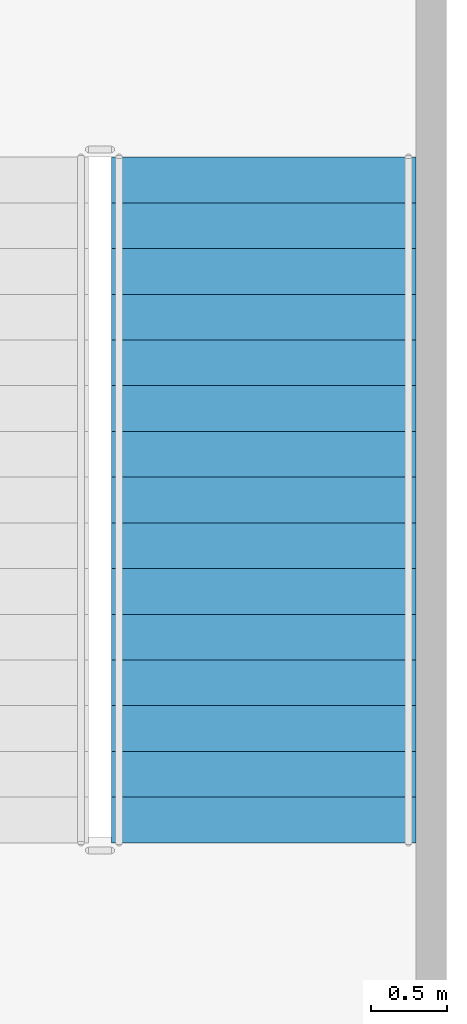
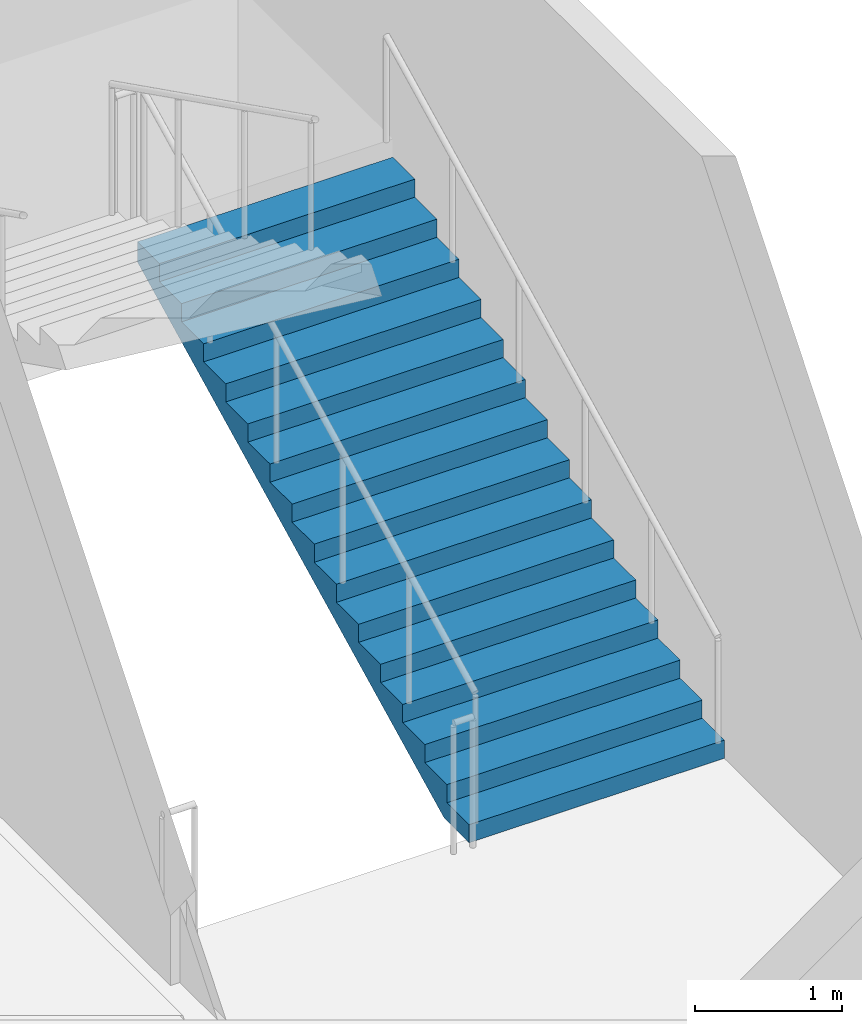
# One storey, part 63 of 91: 1 stair flight, 1 element without a shape of its own.
"""IFC4 building model written with IfcOpenShell, lengths in metres."""

from ifc_helpers import new_model, si_unit, direction, frame, origin, place, context, subcontext, project, spatial, faceted_brep, material, type_object, element, aggregate, save


model = new_model("IFC4")

# Units and contexts
model_context = context("Model", 3, precision=1e-05, world=origin(), true_north=direction((0.0, 1.0)))
body_context = subcontext(model_context, "Body", "Model", "MODEL_VIEW")
ifc_project = project(units=[si_unit("LENGTHUNIT", "METRE"), si_unit("AREAUNIT", "SQUARE_METRE"), si_unit("VOLUMEUNIT", "CUBIC_METRE"), si_unit("PLANEANGLEUNIT", "RADIAN"), si_unit("MASSUNIT", "GRAM", prefix="KILO")], contexts=[model_context])

# Site, building, storey
site_placement = place(None, origin())
site = spatial("IfcSite", under=ifc_project, at=site_placement, CompositionType="ELEMENT")
building_placement = place(site_placement, origin())
building = spatial("IfcBuilding", under=site, at=building_placement, Name="Kiln Court Media Centre", CompositionType="ELEMENT")
storey_placement = place(building_placement, frame((0.0, 0.0, 5.39990234375)))
storey = spatial("IfcBuildingStorey", under=building, at=storey_placement, Name="L01", CompositionType="ELEMENT", Elevation=5.39990234375)

# Stair, stair flight
ifc_material_1 = material(Name="Concrete C40/50", Category="concrete")
stair_type = type_object("IfcStairType", Name="Concrete C40/50 dog-leg stair 2000 wide, 150 riser", PredefinedType="HALF_TURN_STAIR", material=ifc_material_1)
stair_placement = place(storey_placement, origin())
stair = element("IfcStair", 1, at=stair_placement, inside=storey, type_object=stair_type, Name="ST-14 L01", PredefinedType="HALF_TURN_STAIR")
ifc_material_2 = material(Name="Concrete C40/50", Category="concrete")
stair_flight_type = type_object("IfcStairFlightType", Name="Concrete C40/50 stair flight 2000 wide, 150 riser, 300 going", PredefinedType="STRAIGHT", material=ifc_material_2)
stair_flight_placement = place(storey_placement, frame((166.800048828125, 36.39990234375, 0.0), z_axis=(0.0, 0.0, 1.0), x_axis=(0.0, 1.0, 0.0)))
stair_flight = element("IfcStairFlight", 2, at=stair_flight_placement, type_object=stair_flight_type, Name="L01-ST-5013 flight 5026", NumberOfRisers=16, NumberOfTreads=15, PredefinedType="STRAIGHT", RiserHeight=0.15, TreadLength=0.3, context=body_context, shape_type="Brep", body=[
    faceted_brep([(0.335205078125, -1.0, 0.0), (4.5, -1.0, 2.08251953125), (4.5, -1.0, 2.25), (4.199951171875, -1.0, 2.25), (4.199951171875, -1.0, 2.10009765625), (3.89990234375, -1.0, 2.10009765625), (3.89990234375, -1.0, 1.949951171875), (3.60009765625, -1.0, 1.949951171875), (3.60009765625, -1.0, 1.800048828125), (3.300048828125, -1.0, 1.800048828125), (3.300048828125, -1.0, 1.64990234375), (3.0, -1.0, 1.64990234375), (3.0, -1.0, 1.5), (2.699951171875, -1.0, 1.5), (2.699951171875, -1.0, 1.35009765625), (2.39990234375, -1.0, 1.35009765625), (2.39990234375, -1.0, 1.199951171875), (2.10009765625, -1.0, 1.199951171875), (2.10009765625, -1.0, 1.050048828125), (1.800048828125, -1.0, 1.050048828125), (1.800048828125, -1.0, 0.89990234375), (1.5, -1.0, 0.89990234375), (1.5, -1.0, 0.75), (1.199951171875, -1.0, 0.75), (1.199951171875, -1.0, 0.60009765625), (0.89990234375, -1.0, 0.60009765625), (0.89990234375, -1.0, 0.449951171875), (0.60009765625, -1.0, 0.449951171875), (0.60009765625, -1.0, 0.300048828125), (0.300048828125, -1.0, 0.300048828125), (0.300048828125, -1.0, 0.14990234375), (0.0, -1.0, 0.14990234375), (0.0, -1.0, 0.0), (0.0, 1.0, 0.0), (0.0, 1.0, 0.14990234375), (0.300048828125, 1.0, 0.14990234375), (0.300048828125, 1.0, 0.300048828125), (0.60009765625, 1.0, 0.300048828125), (0.60009765625, 1.0, 0.449951171875), (0.89990234375, 1.0, 0.449951171875), (0.89990234375, 1.0, 0.60009765625), (1.199951171875, 1.0, 0.60009765625), (1.199951171875, 1.0, 0.75), (1.5, 1.0, 0.75), (1.5, 1.0, 0.89990234375), (1.800048828125, 1.0, 0.89990234375), (1.800048828125, 1.0, 1.050048828125), (2.10009765625, 1.0, 1.050048828125), (2.10009765625, 1.0, 1.199951171875), (2.39990234375, 1.0, 1.199951171875), (2.39990234375, 1.0, 1.35009765625), (2.699951171875, 1.0, 1.35009765625), (2.699951171875, 1.0, 1.5), (3.0, 1.0, 1.5), (3.0, 1.0, 1.64990234375), (3.300048828125, 1.0, 1.64990234375), (3.300048828125, 1.0, 1.800048828125), (3.60009765625, 1.0, 1.800048828125), (3.60009765625, 1.0, 1.949951171875), (3.89990234375, 1.0, 1.949951171875), (3.89990234375, 1.0, 2.10009765625), (4.199951171875, 1.0, 2.10009765625), (4.199951171875, 1.0, 2.25), (4.5, 1.0, 2.25), (4.5, 1.0, 2.08251953125), (0.335205078125, 1.0, 0.0), (4.5, 0.10009765625, 2.08251953125), (0.335205078125, 0.10009765625, 0.0), (4.5, 0.080078125, 2.08251953125), (0.335205078125, 0.080078125, 0.0), (4.5, 0.06005859375, 2.08251953125), (0.335205078125, 0.06005859375, 0.0), (4.5, 0.0400390625, 2.08251953125), (0.335205078125, 0.0400390625, 0.0), (4.5, 0.02001953125, 2.08251953125), (0.335205078125, 0.02001953125, 0.0), (4.5, 0.0, 2.08251953125), (0.335205078125, 0.0, 0.0), (4.5, -0.02001953125, 2.08251953125), (0.335205078125, -0.02001953125, 0.0), (4.5, -0.0400390625, 2.08251953125), (0.335205078125, -0.0400390625, 0.0), (4.5, -0.06005859375, 2.08251953125), (0.335205078125, -0.06005859375, 0.0), (4.5, -0.080078125, 2.08251953125), (0.335205078125, -0.080078125, 0.0), (4.5, -0.10009765625, 2.08251953125), (0.335205078125, -0.10009765625, 0.0), (4.5, 0.10009765625, 2.25), (4.5, 0.080078125, 2.25), (4.5, 0.06005859375, 2.25), (4.5, 0.0400390625, 2.25), (4.5, 0.02001953125, 2.25), (4.5, 0.0, 2.25), (4.5, -0.02001953125, 2.25), (4.5, -0.0400390625, 2.25), (4.5, -0.06005859375, 2.25), (4.5, -0.080078125, 2.25), (4.5, -0.10009765625, 2.25), (4.199951171875, 0.10009765625, 2.25), (4.199951171875, 0.080078125, 2.25), (4.199951171875, 0.06005859375, 2.25), (4.199951171875, 0.0400390625, 2.25), (4.199951171875, 0.02001953125, 2.25), (4.199951171875, 0.0, 2.25), (4.199951171875, -0.02001953125, 2.25), (4.199951171875, -0.0400390625, 2.25), (4.199951171875, -0.06005859375, 2.25), (4.199951171875, -0.080078125, 2.25), (4.199951171875, -0.10009765625, 2.25), (4.199951171875, 0.10009765625, 2.10009765625), (4.199951171875, 0.080078125, 2.10009765625), (4.199951171875, 0.06005859375, 2.10009765625), (4.199951171875, 0.0400390625, 2.10009765625), (4.199951171875, 0.02001953125, 2.10009765625), (4.199951171875, 0.0, 2.10009765625), (4.199951171875, -0.02001953125, 2.10009765625), (4.199951171875, -0.0400390625, 2.10009765625), (4.199951171875, -0.06005859375, 2.10009765625), (4.199951171875, -0.080078125, 2.10009765625), (4.199951171875, -0.10009765625, 2.10009765625), (3.89990234375, 0.10009765625, 2.10009765625), (3.89990234375, 0.080078125, 2.10009765625), (3.89990234375, 0.06005859375, 2.10009765625), (3.89990234375, 0.0400390625, 2.10009765625), (3.89990234375, 0.02001953125, 2.10009765625), (3.89990234375, 0.0, 2.10009765625), (3.89990234375, -0.02001953125, 2.10009765625), (3.89990234375, -0.0400390625, 2.10009765625), (3.89990234375, -0.06005859375, 2.10009765625), (3.89990234375, -0.080078125, 2.10009765625), (3.89990234375, -0.10009765625, 2.10009765625), (3.89990234375, 0.10009765625, 1.949951171875), (3.89990234375, 0.080078125, 1.949951171875), (3.89990234375, 0.06005859375, 1.949951171875), (3.89990234375, 0.0400390625, 1.949951171875), (3.89990234375, 0.02001953125, 1.949951171875), (3.89990234375, 0.0, 1.949951171875), (3.89990234375, -0.02001953125, 1.949951171875), (3.89990234375, -0.0400390625, 1.949951171875), (3.89990234375, -0.06005859375, 1.949951171875), (3.89990234375, -0.080078125, 1.949951171875), (3.89990234375, -0.10009765625, 1.949951171875), (3.60009765625, 0.10009765625, 1.949951171875), (3.60009765625, 0.080078125, 1.949951171875), (3.60009765625, 0.06005859375, 1.949951171875), (3.60009765625, 0.0400390625, 1.949951171875), (3.60009765625, 0.02001953125, 1.949951171875), (3.60009765625, 0.0, 1.949951171875), (3.60009765625, -0.02001953125, 1.949951171875), (3.60009765625, -0.0400390625, 1.949951171875), (3.60009765625, -0.06005859375, 1.949951171875), (3.60009765625, -0.080078125, 1.949951171875), (3.60009765625, -0.10009765625, 1.949951171875), (3.60009765625, 0.10009765625, 1.800048828125), (3.60009765625, 0.080078125, 1.800048828125), (3.60009765625, 0.06005859375, 1.800048828125), (3.60009765625, 0.0400390625, 1.800048828125), (3.60009765625, 0.02001953125, 1.800048828125), (3.60009765625, 0.0, 1.800048828125), (3.60009765625, -0.02001953125, 1.800048828125), (3.60009765625, -0.0400390625, 1.800048828125), (3.60009765625, -0.06005859375, 1.800048828125), (3.60009765625, -0.080078125, 1.800048828125), (3.60009765625, -0.10009765625, 1.800048828125), (3.300048828125, 0.10009765625, 1.800048828125), (3.300048828125, 0.080078125, 1.800048828125), (3.300048828125, 0.06005859375, 1.800048828125), (3.300048828125, 0.0400390625, 1.800048828125), (3.300048828125, 0.02001953125, 1.800048828125), (3.300048828125, 0.0, 1.800048828125), (3.300048828125, -0.02001953125, 1.800048828125), (3.300048828125, -0.0400390625, 1.800048828125), (3.300048828125, -0.06005859375, 1.800048828125), (3.300048828125, -0.080078125, 1.800048828125), (3.300048828125, -0.10009765625, 1.800048828125), (3.300048828125, 0.10009765625, 1.64990234375), (3.300048828125, 0.080078125, 1.64990234375), (3.300048828125, 0.06005859375, 1.64990234375), (3.300048828125, 0.0400390625, 1.64990234375), (3.300048828125, 0.02001953125, 1.64990234375), (3.300048828125, 0.0, 1.64990234375), (3.300048828125, -0.02001953125, 1.64990234375), (3.300048828125, -0.0400390625, 1.64990234375), (3.300048828125, -0.06005859375, 1.64990234375), (3.300048828125, -0.080078125, 1.64990234375), (3.300048828125, -0.10009765625, 1.64990234375), (3.0, 0.10009765625, 1.64990234375), (3.0, 0.080078125, 1.64990234375), (3.0, 0.06005859375, 1.64990234375), (3.0, 0.0400390625, 1.64990234375), (3.0, 0.02001953125, 1.64990234375), (3.0, 0.0, 1.64990234375), (3.0, -0.02001953125, 1.64990234375), (3.0, -0.0400390625, 1.64990234375), (3.0, -0.06005859375, 1.64990234375), (3.0, -0.080078125, 1.64990234375), (3.0, -0.10009765625, 1.64990234375), (3.0, 0.10009765625, 1.5), (3.0, 0.080078125, 1.5), (3.0, 0.06005859375, 1.5), (3.0, 0.0400390625, 1.5), (3.0, 0.02001953125, 1.5), (3.0, 0.0, 1.5), (3.0, -0.02001953125, 1.5), (3.0, -0.0400390625, 1.5), (3.0, -0.06005859375, 1.5), (3.0, -0.080078125, 1.5), (3.0, -0.10009765625, 1.5), (2.699951171875, 0.10009765625, 1.5), (2.699951171875, 0.080078125, 1.5), (2.699951171875, 0.06005859375, 1.5), (2.699951171875, 0.0400390625, 1.5), (2.699951171875, 0.02001953125, 1.5), (2.699951171875, 0.0, 1.5), (2.699951171875, -0.02001953125, 1.5), (2.699951171875, -0.0400390625, 1.5), (2.699951171875, -0.06005859375, 1.5), (2.699951171875, -0.080078125, 1.5), (2.699951171875, -0.10009765625, 1.5), (2.699951171875, 0.10009765625, 1.35009765625), (2.699951171875, 0.080078125, 1.35009765625), (2.699951171875, 0.06005859375, 1.35009765625), (2.699951171875, 0.0400390625, 1.35009765625), (2.699951171875, 0.02001953125, 1.35009765625), (2.699951171875, 0.0, 1.35009765625), (2.699951171875, -0.02001953125, 1.35009765625), (2.699951171875, -0.0400390625, 1.35009765625), (2.699951171875, -0.06005859375, 1.35009765625), (2.699951171875, -0.080078125, 1.35009765625), (2.699951171875, -0.10009765625, 1.35009765625), (2.39990234375, 0.10009765625, 1.35009765625), (2.39990234375, 0.080078125, 1.35009765625), (2.39990234375, 0.06005859375, 1.35009765625), (2.39990234375, 0.0400390625, 1.35009765625), (2.39990234375, 0.02001953125, 1.35009765625), (2.39990234375, 0.0, 1.35009765625), (2.39990234375, -0.02001953125, 1.35009765625), (2.39990234375, -0.0400390625, 1.35009765625), (2.39990234375, -0.06005859375, 1.35009765625), (2.39990234375, -0.080078125, 1.35009765625), (2.39990234375, -0.10009765625, 1.35009765625), (2.39990234375, 0.10009765625, 1.199951171875), (2.39990234375, 0.080078125, 1.199951171875), (2.39990234375, 0.06005859375, 1.199951171875), (2.39990234375, 0.0400390625, 1.199951171875), (2.39990234375, 0.02001953125, 1.199951171875), (2.39990234375, 0.0, 1.199951171875), (2.39990234375, -0.02001953125, 1.199951171875), (2.39990234375, -0.0400390625, 1.199951171875), (2.39990234375, -0.06005859375, 1.199951171875), (2.39990234375, -0.080078125, 1.199951171875), (2.39990234375, -0.10009765625, 1.199951171875), (2.10009765625, 0.10009765625, 1.199951171875), (2.10009765625, 0.080078125, 1.199951171875), (2.10009765625, 0.06005859375, 1.199951171875), (2.10009765625, 0.0400390625, 1.199951171875), (2.10009765625, 0.02001953125, 1.199951171875), (2.10009765625, 0.0, 1.199951171875), (2.10009765625, -0.02001953125, 1.199951171875), (2.10009765625, -0.0400390625, 1.199951171875), (2.10009765625, -0.06005859375, 1.199951171875), (2.10009765625, -0.080078125, 1.199951171875), (2.10009765625, -0.10009765625, 1.199951171875), (2.10009765625, 0.10009765625, 1.050048828125), (2.10009765625, 0.080078125, 1.050048828125), (2.10009765625, 0.06005859375, 1.050048828125), (2.10009765625, 0.0400390625, 1.050048828125), (2.10009765625, 0.02001953125, 1.050048828125), (2.10009765625, 0.0, 1.050048828125), (2.10009765625, -0.02001953125, 1.050048828125), (2.10009765625, -0.0400390625, 1.050048828125), (2.10009765625, -0.06005859375, 1.050048828125), (2.10009765625, -0.080078125, 1.050048828125), (2.10009765625, -0.10009765625, 1.050048828125), (1.800048828125, 0.10009765625, 1.050048828125), (1.800048828125, 0.080078125, 1.050048828125), (1.800048828125, 0.06005859375, 1.050048828125), (1.800048828125, 0.0400390625, 1.050048828125), (1.800048828125, 0.02001953125, 1.050048828125), (1.800048828125, 0.0, 1.050048828125), (1.800048828125, -0.02001953125, 1.050048828125), (1.800048828125, -0.0400390625, 1.050048828125), (1.800048828125, -0.06005859375, 1.050048828125), (1.800048828125, -0.080078125, 1.050048828125), (1.800048828125, -0.10009765625, 1.050048828125), (1.800048828125, 0.10009765625, 0.89990234375), (1.800048828125, 0.080078125, 0.89990234375), (1.800048828125, 0.06005859375, 0.89990234375), (1.800048828125, 0.0400390625, 0.89990234375), (1.800048828125, 0.02001953125, 0.89990234375), (1.800048828125, 0.0, 0.89990234375), (1.800048828125, -0.02001953125, 0.89990234375), (1.800048828125, -0.0400390625, 0.89990234375), (1.800048828125, -0.06005859375, 0.89990234375), (1.800048828125, -0.080078125, 0.89990234375), (1.800048828125, -0.10009765625, 0.89990234375), (1.5, 0.10009765625, 0.89990234375), (1.5, 0.080078125, 0.89990234375), (1.5, 0.06005859375, 0.89990234375), (1.5, 0.0400390625, 0.89990234375), (1.5, 0.02001953125, 0.89990234375), (1.5, 0.0, 0.89990234375), (1.5, -0.02001953125, 0.89990234375), (1.5, -0.0400390625, 0.89990234375), (1.5, -0.06005859375, 0.89990234375), (1.5, -0.080078125, 0.89990234375), (1.5, -0.10009765625, 0.89990234375), (1.5, 0.10009765625, 0.75), (1.5, 0.080078125, 0.75), (1.5, 0.06005859375, 0.75), (1.5, 0.0400390625, 0.75), (1.5, 0.02001953125, 0.75), (1.5, 0.0, 0.75), (1.5, -0.02001953125, 0.75), (1.5, -0.0400390625, 0.75), (1.5, -0.06005859375, 0.75), (1.5, -0.080078125, 0.75), (1.5, -0.10009765625, 0.75), (1.199951171875, 0.10009765625, 0.75), (1.199951171875, 0.080078125, 0.75), (1.199951171875, 0.06005859375, 0.75), (1.199951171875, 0.0400390625, 0.75), (1.199951171875, 0.02001953125, 0.75), (1.199951171875, 0.0, 0.75), (1.199951171875, -0.02001953125, 0.75), (1.199951171875, -0.0400390625, 0.75), (1.199951171875, -0.06005859375, 0.75), (1.199951171875, -0.080078125, 0.75), (1.199951171875, -0.10009765625, 0.75), (1.199951171875, 0.10009765625, 0.60009765625), (1.199951171875, 0.080078125, 0.60009765625), (1.199951171875, 0.06005859375, 0.60009765625), (1.199951171875, 0.0400390625, 0.60009765625), (1.199951171875, 0.02001953125, 0.60009765625), (1.199951171875, 0.0, 0.60009765625), (1.199951171875, -0.02001953125, 0.60009765625), (1.199951171875, -0.0400390625, 0.60009765625), (1.199951171875, -0.06005859375, 0.60009765625), (1.199951171875, -0.080078125, 0.60009765625), (1.199951171875, -0.10009765625, 0.60009765625), (0.89990234375, 0.10009765625, 0.60009765625), (0.89990234375, 0.080078125, 0.60009765625), (0.89990234375, 0.06005859375, 0.60009765625), (0.89990234375, 0.0400390625, 0.60009765625), (0.89990234375, 0.02001953125, 0.60009765625), (0.89990234375, 0.0, 0.60009765625), (0.89990234375, -0.02001953125, 0.60009765625), (0.89990234375, -0.0400390625, 0.60009765625), (0.89990234375, -0.06005859375, 0.60009765625), (0.89990234375, -0.080078125, 0.60009765625), (0.89990234375, -0.10009765625, 0.60009765625), (0.89990234375, 0.10009765625, 0.449951171875), (0.89990234375, 0.080078125, 0.449951171875), (0.89990234375, 0.06005859375, 0.449951171875), (0.89990234375, 0.0400390625, 0.449951171875), (0.89990234375, 0.02001953125, 0.449951171875), (0.89990234375, 0.0, 0.449951171875), (0.89990234375, -0.02001953125, 0.449951171875), (0.89990234375, -0.0400390625, 0.449951171875), (0.89990234375, -0.06005859375, 0.449951171875), (0.89990234375, -0.080078125, 0.449951171875), (0.89990234375, -0.10009765625, 0.449951171875), (0.60009765625, 0.10009765625, 0.449951171875), (0.60009765625, 0.080078125, 0.449951171875), (0.60009765625, 0.06005859375, 0.449951171875), (0.60009765625, 0.0400390625, 0.449951171875), (0.60009765625, 0.02001953125, 0.449951171875), (0.60009765625, 0.0, 0.449951171875), (0.60009765625, -0.02001953125, 0.449951171875), (0.60009765625, -0.0400390625, 0.449951171875), (0.60009765625, -0.06005859375, 0.449951171875), (0.60009765625, -0.080078125, 0.449951171875), (0.60009765625, -0.10009765625, 0.449951171875), (0.60009765625, 0.10009765625, 0.300048828125), (0.60009765625, 0.080078125, 0.300048828125), (0.60009765625, 0.06005859375, 0.300048828125), (0.60009765625, 0.0400390625, 0.300048828125), (0.60009765625, 0.02001953125, 0.300048828125), (0.60009765625, 0.0, 0.300048828125), (0.60009765625, -0.02001953125, 0.300048828125), (0.60009765625, -0.0400390625, 0.300048828125), (0.60009765625, -0.06005859375, 0.300048828125), (0.60009765625, -0.080078125, 0.300048828125), (0.60009765625, -0.10009765625, 0.300048828125), (0.300048828125, 0.10009765625, 0.300048828125), (0.300048828125, 0.080078125, 0.300048828125), (0.300048828125, 0.06005859375, 0.300048828125), (0.300048828125, 0.0400390625, 0.300048828125), (0.300048828125, 0.02001953125, 0.300048828125), (0.300048828125, 0.0, 0.300048828125), (0.300048828125, -0.02001953125, 0.300048828125), (0.300048828125, -0.0400390625, 0.300048828125), (0.300048828125, -0.06005859375, 0.300048828125), (0.300048828125, -0.080078125, 0.300048828125), (0.300048828125, -0.10009765625, 0.300048828125), (0.300048828125, 0.10009765625, 0.14990234375), (0.300048828125, 0.080078125, 0.14990234375), (0.300048828125, 0.06005859375, 0.14990234375), (0.300048828125, 0.0400390625, 0.14990234375), (0.300048828125, 0.02001953125, 0.14990234375), (0.300048828125, 0.0, 0.14990234375), (0.300048828125, -0.02001953125, 0.14990234375), (0.300048828125, -0.0400390625, 0.14990234375), (0.300048828125, -0.06005859375, 0.14990234375), (0.300048828125, -0.080078125, 0.14990234375), (0.300048828125, -0.10009765625, 0.14990234375), (0.0, 0.10009765625, 0.14990234375), (0.0, 0.080078125, 0.14990234375), (0.0, 0.06005859375, 0.14990234375), (0.0, 0.0400390625, 0.14990234375), (0.0, 0.02001953125, 0.14990234375), (0.0, 0.0, 0.14990234375), (0.0, -0.02001953125, 0.14990234375), (0.0, -0.0400390625, 0.14990234375), (0.0, -0.06005859375, 0.14990234375), (0.0, -0.080078125, 0.14990234375), (0.0, -0.10009765625, 0.14990234375), (0.0, 0.10009765625, 0.0), (0.0, 0.080078125, 0.0), (0.0, 0.06005859375, 0.0), (0.0, 0.0400390625, 0.0), (0.0, 0.02001953125, 0.0), (0.0, 0.0, 0.0), (0.0, -0.02001953125, 0.0), (0.0, -0.0400390625, 0.0), (0.0, -0.06005859375, 0.0), (0.0, -0.080078125, 0.0), (0.0, -0.10009765625, 0.0)], [[[0, 1, 2, 3, 4, 5, 6, 7, 8, 9, 10, 11, 12, 13, 14, 15, 16, 17, 18, 19, 20, 21, 22, 23, 24, 25, 26, 27, 28, 29, 30, 31, 32]], [[33, 34, 35, 36, 37, 38, 39, 40, 41, 42, 43, 44, 45, 46, 47, 48, 49, 50, 51, 52, 53, 54, 55, 56, 57, 58, 59, 60, 61, 62, 63, 64, 65]], [[65, 64, 66, 67]], [[67, 66, 68, 69]], [[69, 68, 70, 71]], [[71, 70, 72, 73]], [[73, 72, 74, 75]], [[75, 74, 76, 77]], [[77, 76, 78, 79]], [[79, 78, 80, 81]], [[81, 80, 82, 83]], [[83, 82, 84, 85]], [[85, 84, 86, 87]], [[87, 86, 1, 0]], [[64, 63, 88, 66]], [[66, 88, 89, 68]], [[68, 89, 90, 70]], [[70, 90, 91, 72]], [[72, 91, 92, 74]], [[74, 92, 93, 76]], [[76, 93, 94, 78]], [[78, 94, 95, 80]], [[80, 95, 96, 82]], [[82, 96, 97, 84]], [[84, 97, 98, 86]], [[86, 98, 2, 1]], [[63, 62, 99, 88]], [[88, 99, 100, 89]], [[89, 100, 101, 90]], [[90, 101, 102, 91]], [[91, 102, 103, 92]], [[92, 103, 104, 93]], [[93, 104, 105, 94]], [[94, 105, 106, 95]], [[95, 106, 107, 96]], [[96, 107, 108, 97]], [[97, 108, 109, 98]], [[98, 109, 3, 2]], [[62, 61, 110, 99]], [[99, 110, 111, 100]], [[100, 111, 112, 101]], [[101, 112, 113, 102]], [[102, 113, 114, 103]], [[103, 114, 115, 104]], [[104, 115, 116, 105]], [[105, 116, 117, 106]], [[106, 117, 118, 107]], [[107, 118, 119, 108]], [[108, 119, 120, 109]], [[109, 120, 4, 3]], [[61, 60, 121, 110]], [[110, 121, 122, 111]], [[111, 122, 123, 112]], [[112, 123, 124, 113]], [[113, 124, 125, 114]], [[114, 125, 126, 115]], [[115, 126, 127, 116]], [[116, 127, 128, 117]], [[117, 128, 129, 118]], [[118, 129, 130, 119]], [[119, 130, 131, 120]], [[120, 131, 5, 4]], [[60, 59, 132, 121]], [[121, 132, 133, 122]], [[122, 133, 134, 123]], [[123, 134, 135, 124]], [[124, 135, 136, 125]], [[125, 136, 137, 126]], [[126, 137, 138, 127]], [[127, 138, 139, 128]], [[128, 139, 140, 129]], [[129, 140, 141, 130]], [[130, 141, 142, 131]], [[131, 142, 6, 5]], [[59, 58, 143, 132]], [[132, 143, 144, 133]], [[133, 144, 145, 134]], [[134, 145, 146, 135]], [[135, 146, 147, 136]], [[136, 147, 148, 137]], [[137, 148, 149, 138]], [[138, 149, 150, 139]], [[139, 150, 151, 140]], [[140, 151, 152, 141]], [[141, 152, 153, 142]], [[142, 153, 7, 6]], [[58, 57, 154, 143]], [[143, 154, 155, 144]], [[144, 155, 156, 145]], [[145, 156, 157, 146]], [[146, 157, 158, 147]], [[147, 158, 159, 148]], [[148, 159, 160, 149]], [[149, 160, 161, 150]], [[150, 161, 162, 151]], [[151, 162, 163, 152]], [[152, 163, 164, 153]], [[153, 164, 8, 7]], [[57, 56, 165, 154]], [[154, 165, 166, 155]], [[155, 166, 167, 156]], [[156, 167, 168, 157]], [[157, 168, 169, 158]], [[158, 169, 170, 159]], [[159, 170, 171, 160]], [[160, 171, 172, 161]], [[161, 172, 173, 162]], [[162, 173, 174, 163]], [[163, 174, 175, 164]], [[164, 175, 9, 8]], [[56, 55, 176, 165]], [[165, 176, 177, 166]], [[166, 177, 178, 167]], [[167, 178, 179, 168]], [[168, 179, 180, 169]], [[169, 180, 181, 170]], [[170, 181, 182, 171]], [[171, 182, 183, 172]], [[172, 183, 184, 173]], [[173, 184, 185, 174]], [[174, 185, 186, 175]], [[175, 186, 10, 9]], [[55, 54, 187, 176]], [[176, 187, 188, 177]], [[177, 188, 189, 178]], [[178, 189, 190, 179]], [[179, 190, 191, 180]], [[180, 191, 192, 181]], [[181, 192, 193, 182]], [[182, 193, 194, 183]], [[183, 194, 195, 184]], [[184, 195, 196, 185]], [[185, 196, 197, 186]], [[186, 197, 11, 10]], [[54, 53, 198, 187]], [[187, 198, 199, 188]], [[188, 199, 200, 189]], [[189, 200, 201, 190]], [[190, 201, 202, 191]], [[191, 202, 203, 192]], [[192, 203, 204, 193]], [[193, 204, 205, 194]], [[194, 205, 206, 195]], [[195, 206, 207, 196]], [[196, 207, 208, 197]], [[197, 208, 12, 11]], [[53, 52, 209, 198]], [[198, 209, 210, 199]], [[199, 210, 211, 200]], [[200, 211, 212, 201]], [[201, 212, 213, 202]], [[202, 213, 214, 203]], [[203, 214, 215, 204]], [[204, 215, 216, 205]], [[205, 216, 217, 206]], [[206, 217, 218, 207]], [[207, 218, 219, 208]], [[208, 219, 13, 12]], [[52, 51, 220, 209]], [[209, 220, 221, 210]], [[210, 221, 222, 211]], [[211, 222, 223, 212]], [[212, 223, 224, 213]], [[213, 224, 225, 214]], [[214, 225, 226, 215]], [[215, 226, 227, 216]], [[216, 227, 228, 217]], [[217, 228, 229, 218]], [[218, 229, 230, 219]], [[219, 230, 14, 13]], [[51, 50, 231, 220]], [[220, 231, 232, 221]], [[221, 232, 233, 222]], [[222, 233, 234, 223]], [[223, 234, 235, 224]], [[224, 235, 236, 225]], [[225, 236, 237, 226]], [[226, 237, 238, 227]], [[227, 238, 239, 228]], [[228, 239, 240, 229]], [[229, 240, 241, 230]], [[230, 241, 15, 14]], [[50, 49, 242, 231]], [[231, 242, 243, 232]], [[232, 243, 244, 233]], [[233, 244, 245, 234]], [[234, 245, 246, 235]], [[235, 246, 247, 236]], [[236, 247, 248, 237]], [[237, 248, 249, 238]], [[238, 249, 250, 239]], [[239, 250, 251, 240]], [[240, 251, 252, 241]], [[241, 252, 16, 15]], [[49, 48, 253, 242]], [[242, 253, 254, 243]], [[243, 254, 255, 244]], [[244, 255, 256, 245]], [[245, 256, 257, 246]], [[246, 257, 258, 247]], [[247, 258, 259, 248]], [[248, 259, 260, 249]], [[249, 260, 261, 250]], [[250, 261, 262, 251]], [[251, 262, 263, 252]], [[252, 263, 17, 16]], [[48, 47, 264, 253]], [[253, 264, 265, 254]], [[254, 265, 266, 255]], [[255, 266, 267, 256]], [[256, 267, 268, 257]], [[257, 268, 269, 258]], [[258, 269, 270, 259]], [[259, 270, 271, 260]], [[260, 271, 272, 261]], [[261, 272, 273, 262]], [[262, 273, 274, 263]], [[263, 274, 18, 17]], [[47, 46, 275, 264]], [[264, 275, 276, 265]], [[265, 276, 277, 266]], [[266, 277, 278, 267]], [[267, 278, 279, 268]], [[268, 279, 280, 269]], [[269, 280, 281, 270]], [[270, 281, 282, 271]], [[271, 282, 283, 272]], [[272, 283, 284, 273]], [[273, 284, 285, 274]], [[274, 285, 19, 18]], [[46, 45, 286, 275]], [[275, 286, 287, 276]], [[276, 287, 288, 277]], [[277, 288, 289, 278]], [[278, 289, 290, 279]], [[279, 290, 291, 280]], [[280, 291, 292, 281]], [[281, 292, 293, 282]], [[282, 293, 294, 283]], [[283, 294, 295, 284]], [[284, 295, 296, 285]], [[285, 296, 20, 19]], [[45, 44, 297, 286]], [[286, 297, 298, 287]], [[287, 298, 299, 288]], [[288, 299, 300, 289]], [[289, 300, 301, 290]], [[290, 301, 302, 291]], [[291, 302, 303, 292]], [[292, 303, 304, 293]], [[293, 304, 305, 294]], [[294, 305, 306, 295]], [[295, 306, 307, 296]], [[296, 307, 21, 20]], [[44, 43, 308, 297]], [[297, 308, 309, 298]], [[298, 309, 310, 299]], [[299, 310, 311, 300]], [[300, 311, 312, 301]], [[301, 312, 313, 302]], [[302, 313, 314, 303]], [[303, 314, 315, 304]], [[304, 315, 316, 305]], [[305, 316, 317, 306]], [[306, 317, 318, 307]], [[307, 318, 22, 21]], [[43, 42, 319, 308]], [[308, 319, 320, 309]], [[309, 320, 321, 310]], [[310, 321, 322, 311]], [[311, 322, 323, 312]], [[312, 323, 324, 313]], [[313, 324, 325, 314]], [[314, 325, 326, 315]], [[315, 326, 327, 316]], [[316, 327, 328, 317]], [[317, 328, 329, 318]], [[318, 329, 23, 22]], [[42, 41, 330, 319]], [[319, 330, 331, 320]], [[320, 331, 332, 321]], [[321, 332, 333, 322]], [[322, 333, 334, 323]], [[323, 334, 335, 324]], [[324, 335, 336, 325]], [[325, 336, 337, 326]], [[326, 337, 338, 327]], [[327, 338, 339, 328]], [[328, 339, 340, 329]], [[329, 340, 24, 23]], [[41, 40, 341, 330]], [[330, 341, 342, 331]], [[331, 342, 343, 332]], [[332, 343, 344, 333]], [[333, 344, 345, 334]], [[334, 345, 346, 335]], [[335, 346, 347, 336]], [[336, 347, 348, 337]], [[337, 348, 349, 338]], [[338, 349, 350, 339]], [[339, 350, 351, 340]], [[340, 351, 25, 24]], [[40, 39, 352, 341]], [[341, 352, 353, 342]], [[342, 353, 354, 343]], [[343, 354, 355, 344]], [[344, 355, 356, 345]], [[345, 356, 357, 346]], [[346, 357, 358, 347]], [[347, 358, 359, 348]], [[348, 359, 360, 349]], [[349, 360, 361, 350]], [[350, 361, 362, 351]], [[351, 362, 26, 25]], [[39, 38, 363, 352]], [[352, 363, 364, 353]], [[353, 364, 365, 354]], [[354, 365, 366, 355]], [[355, 366, 367, 356]], [[356, 367, 368, 357]], [[357, 368, 369, 358]], [[358, 369, 370, 359]], [[359, 370, 371, 360]], [[360, 371, 372, 361]], [[361, 372, 373, 362]], [[362, 373, 27, 26]], [[38, 37, 374, 363]], [[363, 374, 375, 364]], [[364, 375, 376, 365]], [[365, 376, 377, 366]], [[366, 377, 378, 367]], [[367, 378, 379, 368]], [[368, 379, 380, 369]], [[369, 380, 381, 370]], [[370, 381, 382, 371]], [[371, 382, 383, 372]], [[372, 383, 384, 373]], [[373, 384, 28, 27]], [[37, 36, 385, 374]], [[374, 385, 386, 375]], [[375, 386, 387, 376]], [[376, 387, 388, 377]], [[377, 388, 389, 378]], [[378, 389, 390, 379]], [[379, 390, 391, 380]], [[380, 391, 392, 381]], [[381, 392, 393, 382]], [[382, 393, 394, 383]], [[383, 394, 395, 384]], [[384, 395, 29, 28]], [[36, 35, 396, 385]], [[385, 396, 397, 386]], [[386, 397, 398, 387]], [[387, 398, 399, 388]], [[388, 399, 400, 389]], [[389, 400, 401, 390]], [[390, 401, 402, 391]], [[391, 402, 403, 392]], [[392, 403, 404, 393]], [[393, 404, 405, 394]], [[394, 405, 406, 395]], [[395, 406, 30, 29]], [[35, 34, 407, 396]], [[396, 407, 408, 397]], [[397, 408, 409, 398]], [[398, 409, 410, 399]], [[399, 410, 411, 400]], [[400, 411, 412, 401]], [[401, 412, 413, 402]], [[402, 413, 414, 403]], [[403, 414, 415, 404]], [[404, 415, 416, 405]], [[405, 416, 417, 406]], [[406, 417, 31, 30]], [[34, 33, 418, 407]], [[407, 418, 419, 408]], [[408, 419, 420, 409]], [[409, 420, 421, 410]], [[410, 421, 422, 411]], [[411, 422, 423, 412]], [[412, 423, 424, 413]], [[413, 424, 425, 414]], [[414, 425, 426, 415]], [[415, 426, 427, 416]], [[416, 427, 428, 417]], [[417, 428, 32, 31]], [[33, 65, 67, 418]], [[418, 67, 69, 419]], [[419, 69, 71, 420]], [[420, 71, 73, 421]], [[421, 73, 75, 422]], [[422, 75, 77, 423]], [[423, 77, 79, 424]], [[424, 79, 81, 425]], [[425, 81, 83, 426]], [[426, 83, 85, 427]], [[427, 85, 87, 428]], [[428, 87, 0, 32]]]),
])
aggregate(stair, [stair_flight])

save(model, "model.ifc")
